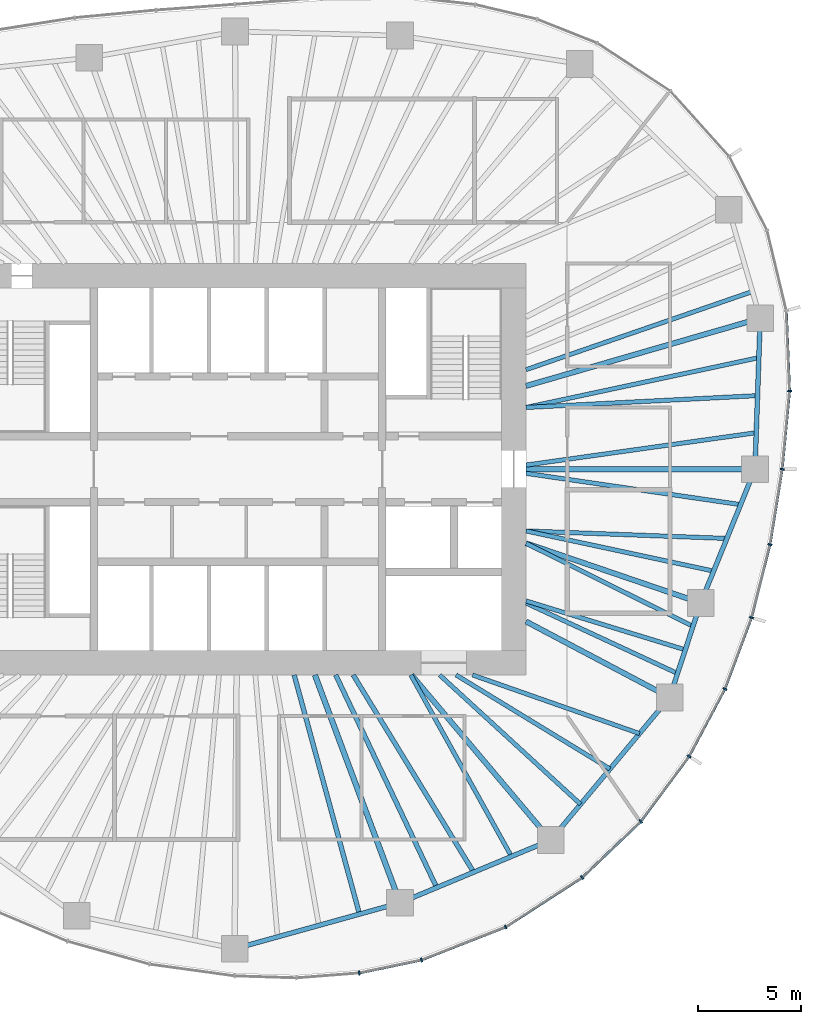
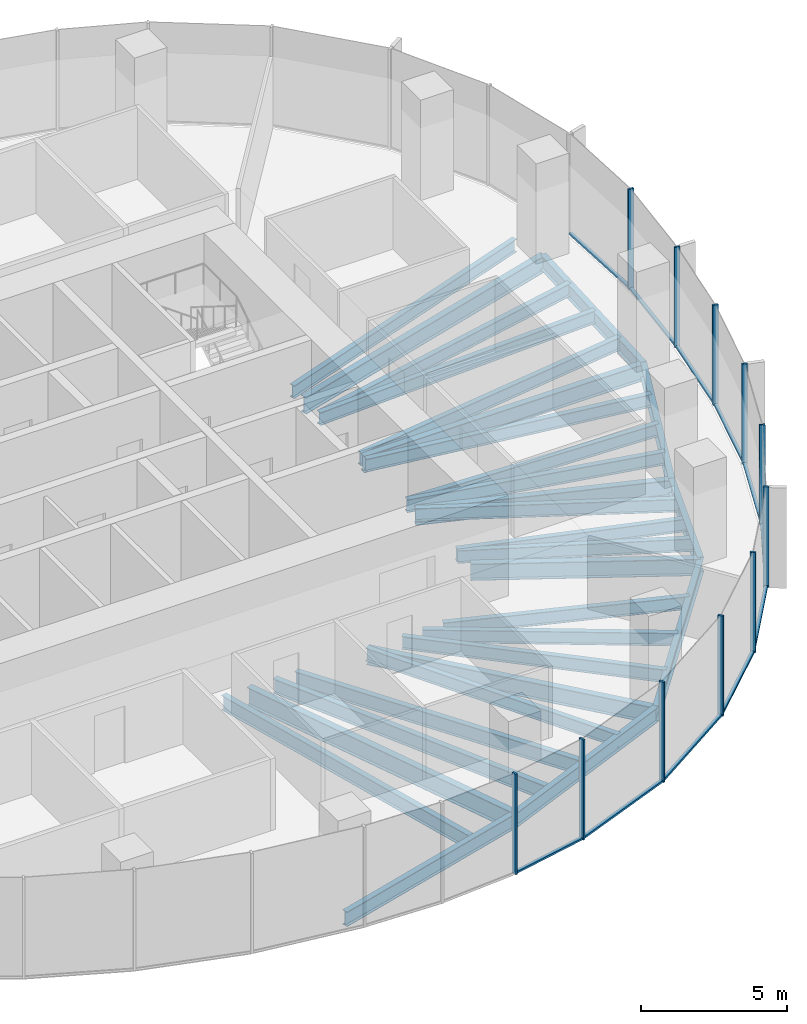
# One storey, part 4 of 12: 29 beams, 22 members, 6 elements without a shape of their own.
"""IFC4 building model written with IfcOpenShell, lengths in metres."""

from ifc_helpers import new_model, si_unit, direction, frame, origin, origin_2d, place, context, subcontext, project, spatial, rectangle, i_section, extrude, material, material_profile, profile_set, type_object, element, aggregate, save


model = new_model("IFC4")

# Units and contexts
model_context = context("Model", 3, precision=1e-05, world=origin(), true_north=direction((0.0, 1.0)))
body_context = subcontext(model_context, "Body", "Model", "MODEL_VIEW")
ifc_project = project(units=[si_unit("LENGTHUNIT", "METRE"), si_unit("AREAUNIT", "SQUARE_METRE"), si_unit("VOLUMEUNIT", "CUBIC_METRE"), si_unit("PLANEANGLEUNIT", "RADIAN"), si_unit("MASSUNIT", "GRAM", prefix="KILO")], contexts=[model_context])

# Site, building, storey
site_placement = place(None, origin())
site = spatial("IfcSite", under=ifc_project, at=site_placement, CompositionType="ELEMENT")
building_placement = place(site_placement, origin())
building = spatial("IfcBuilding", under=site, at=building_placement, Name="Ghaith Harvest Tower", CompositionType="ELEMENT")
storey_placement = place(building_placement, frame((0.0, 0.0, 199.0)))
storey = spatial("IfcBuildingStorey", under=building, at=storey_placement, Name="L43", CompositionType="ELEMENT", Elevation=199.0)

# Curtain wall, members
ifc_material_1 = material(Name="Black anodised aluminium and fritted glass", Category="aluminium")
curtain_wall_type = type_object("IfcCurtainWallType", Name="CW-H CURTAIN WALL", PredefinedType="NOTDEFINED", material=ifc_material_1)
curtain_wall_1_placement = place(storey_placement, origin())
curtain_wall_1 = element("IfcCurtainWall", 1, at=curtain_wall_1_placement, inside=storey, type_object=curtain_wall_type, Name="Curtain wall CW-H bay 01 L43", PredefinedType="NOTDEFINED")
ifc_material_2 = material(Name="Aluminium, black anodised", Category="aluminium")
ifc_material_profile_1 = material_profile(ifc_material_2, rectangle(XDim=0.080078125, YDim=0.199951171875, at=origin_2d()), Name="CW-H MULLION 80x200")
ifc_profile_set_1 = profile_set([ifc_material_profile_1], Name="Aluminium, black anodised")
member_type_1 = type_object("IfcMemberType", Name="CW-H MULLION 80x200", PredefinedType="MULLION", material=ifc_profile_set_1)
member_1_placement = place(storey_placement, frame((26.445068359375, 0.0, 0.0), z_axis=(0.0, 0.0, 1.0), x_axis=(0.126567624553, 0.991957981174, 0.0)))
member_1 = element("IfcMember", 2, at=member_1_placement, type_object=member_type_1, Name="CW-H mullion 1 bay 01 L43", PredefinedType="MULLION", context=body_context, shape_type="SweptSolid", body=[
    extrude(rectangle(XDim=0.080078125, YDim=0.199951171875, at=origin_2d()), origin(), (0.0, 0.0, 1.0), 4.199951171875),
])
member_2_placement = place(storey_placement, frame((26.804443359375, 3.7958984375, 0.0), z_axis=(0.0, 0.0, 1.0), x_axis=(0.026142797814, 0.999658218654, 0.0)))
member_2 = element("IfcMember", 3, at=member_2_placement, type_object=member_type_1, Name="CW-H mullion 2 bay 01 L43", PredefinedType="MULLION", context=body_context, shape_type="SweptSolid", body=[
    extrude(rectangle(XDim=0.080078125, YDim=0.199951171875, at=origin_2d()), origin(), (0.0, 0.0, 1.0), 4.199951171875),
])

# Curtain wall, member
curtain_wall_2_placement = place(storey_placement, origin())
curtain_wall_2 = element("IfcCurtainWall", 4, at=curtain_wall_2_placement, inside=storey, type_object=curtain_wall_type, Name="Curtain wall CW-H bay 16 L43", PredefinedType="NOTDEFINED")
member_3_placement = place(storey_placement, frame((5.893310546875, -24.48291015625, 0.0), z_axis=(0.0, 0.0, 1.0), x_axis=(0.989849191496, 0.142121701704, 0.0)))
member_3 = element("IfcMember", 5, at=member_3_placement, type_object=member_type_1, Name="CW-H mullion 3 bay 16 L43", PredefinedType="MULLION", context=body_context, shape_type="SweptSolid", body=[
    extrude(rectangle(XDim=0.080078125, YDim=0.199951171875, at=origin_2d()), origin(), (0.0, 0.0, 1.0), 4.199951171875),
])

# Curtain wall, members
curtain_wall_3_placement = place(storey_placement, origin())
curtain_wall_3 = element("IfcCurtainWall", 6, at=curtain_wall_3_placement, inside=storey, type_object=curtain_wall_type, Name="Curtain wall CW-H bay 17 L43", PredefinedType="NOTDEFINED")
member_4_placement = place(storey_placement, frame((8.916015625, -23.85009765625, 0.0), z_axis=(0.0, 0.0, 1.0), x_axis=(0.954029934434, 0.299711334793, 0.0)))
member_4 = element("IfcMember", 7, at=member_4_placement, type_object=member_type_1, Name="CW-H mullion 1 bay 17 L43", PredefinedType="MULLION", context=body_context, shape_type="SweptSolid", body=[
    extrude(rectangle(XDim=0.080078125, YDim=0.199951171875, at=origin_2d()), origin(), (0.0, 0.0, 1.0), 4.199951171875),
])
member_5_placement = place(storey_placement, frame((13.010009765625, -22.2470703125, 0.0), z_axis=(0.0, 0.0, 1.0), x_axis=(0.889568363425, 0.456802065225, 0.0)))
member_5 = element("IfcMember", 8, at=member_5_placement, type_object=member_type_1, Name="CW-H mullion 2 bay 17 L43", PredefinedType="MULLION", context=body_context, shape_type="SweptSolid", body=[
    extrude(rectangle(XDim=0.080078125, YDim=0.199951171875, at=origin_2d()), origin(), (0.0, 0.0, 1.0), 4.199951171875),
])

curtain_wall_4_placement = place(storey_placement, origin())
curtain_wall_4 = element("IfcCurtainWall", 9, at=curtain_wall_4_placement, inside=storey, type_object=curtain_wall_type, Name="Curtain wall CW-H bay 18 L43", PredefinedType="NOTDEFINED")
member_6_placement = place(storey_placement, frame((16.72900390625, -19.838134765625, 0.0), z_axis=(0.0, 0.0, 1.0), x_axis=(0.78784554071, 0.615872879727, 0.0)))
member_6 = element("IfcMember", 10, at=member_6_placement, type_object=member_type_1, Name="CW-H mullion 1 bay 18 L43", PredefinedType="MULLION", context=body_context, shape_type="SweptSolid", body=[
    extrude(rectangle(XDim=0.080078125, YDim=0.199951171875, at=origin_2d()), origin(), (0.0, 0.0, 1.0), 4.199951171875),
])
member_7_placement = place(storey_placement, frame((19.57421875, -17.11572265625, 0.0), z_axis=(0.0, 0.0, 1.0), x_axis=(0.661614965695, 0.749843741835, 0.0)))
member_7 = element("IfcMember", 11, at=member_7_placement, type_object=member_type_1, Name="CW-H mullion 2 bay 18 L43", PredefinedType="MULLION", context=body_context, shape_type="SweptSolid", body=[
    extrude(rectangle(XDim=0.080078125, YDim=0.199951171875, at=origin_2d()), origin(), (0.0, 0.0, 1.0), 4.199951171875),
])

curtain_wall_5_placement = place(storey_placement, origin())
curtain_wall_5 = element("IfcCurtainWall", 12, at=curtain_wall_5_placement, inside=storey, type_object=curtain_wall_type, Name="Curtain wall CW-H bay 19 L43", PredefinedType="NOTDEFINED")
member_8_placement = place(storey_placement, frame((21.922607421875, -13.951904296875, 0.0), z_axis=(0.0, 0.0, 1.0), x_axis=(0.535827198032, 0.844327669717, 0.0)))
member_8 = element("IfcMember", 13, at=member_8_placement, type_object=member_type_1, Name="CW-H mullion 1 bay 19 L43", PredefinedType="MULLION", context=body_context, shape_type="SweptSolid", body=[
    extrude(rectangle(XDim=0.080078125, YDim=0.199951171875, at=origin_2d()), origin(), (0.0, 0.0, 1.0), 4.199951171875),
])
member_9_placement = place(storey_placement, frame((23.658203125, -10.680419921875, 0.0), z_axis=(0.0, 0.0, 1.0), x_axis=(0.410429862351, 0.911892169114, 0.0)))
member_9 = element("IfcMember", 14, at=member_9_placement, type_object=member_type_1, Name="CW-H mullion 2 bay 19 L43", PredefinedType="MULLION", context=body_context, shape_type="SweptSolid", body=[
    extrude(rectangle(XDim=0.080078125, YDim=0.199951171875, at=origin_2d()), origin(), (0.0, 0.0, 1.0), 4.199951171875),
])

curtain_wall_6_placement = place(storey_placement, origin())
curtain_wall_6 = element("IfcCurtainWall", 15, at=curtain_wall_6_placement, inside=storey, type_object=curtain_wall_type, Name="Curtain wall CW-H bay 20 L43", PredefinedType="NOTDEFINED")
member_10_placement = place(storey_placement, frame((24.955810546875, -7.212890625, 0.0), z_axis=(0.0, 0.0, 1.0), x_axis=(0.298441625478, 0.954427889462, 0.0)))
member_10 = element("IfcMember", 16, at=member_10_placement, type_object=member_type_1, Name="CW-H mullion 1 bay 20 L43", PredefinedType="MULLION", context=body_context, shape_type="SweptSolid", body=[
    extrude(rectangle(XDim=0.080078125, YDim=0.199951171875, at=origin_2d()), origin(), (0.0, 0.0, 1.0), 4.199951171875),
])
member_11_placement = place(storey_placement, frame((25.85302734375, -3.6611328125, 0.0), z_axis=(0.0, 0.0, 1.0), x_axis=(0.202192370647, 0.979345825157, 0.0)))
member_11 = element("IfcMember", 17, at=member_11_placement, type_object=member_type_1, Name="CW-H mullion 2 bay 20 L43", PredefinedType="MULLION", context=body_context, shape_type="SweptSolid", body=[
    extrude(rectangle(XDim=0.080078125, YDim=0.199951171875, at=origin_2d()), origin(), (0.0, 0.0, 1.0), 4.199951171875),
])

# Member
ifc_material_3 = material(Name="Aluminium, black anodised", Category="aluminium")
ifc_material_profile_2 = material_profile(ifc_material_3, rectangle(XDim=0.1298828125, YDim=0.080078125, at=origin_2d()), Name="CW-H TRANSOM 130x80")
ifc_profile_set_2 = profile_set([ifc_material_profile_2], Name="Aluminium, black anodised")
member_type_2 = type_object("IfcMemberType", Name="CW-H TRANSOM 130x80", PredefinedType="USERDEFINED", material=ifc_profile_set_2)
member_12_placement = place(storey_placement, frame((26.44873046875, 0.039794921875, 0.0400390625), z_axis=(0.094309089207, 0.995542965267, 0.0), x_axis=(-0.995542965267, 0.094309089207, 0.0)))
member_12 = element("IfcMember", 18, at=member_12_placement, type_object=member_type_2, Name="CW-H transom 1 bay 01 L43", ObjectType="TRANSOM", PredefinedType="USERDEFINED", context=body_context, shape_type="SweptSolid", body=[
    extrude(rectangle(XDim=0.1298828125, YDim=0.080078125, at=origin_2d()), origin(), (0.0, 0.0, 1.0), 3.73291015625),
])

member_13_placement = place(storey_placement, frame((26.802978515625, 3.8359375, 0.0400390625), z_axis=(-0.040492641284, 0.999179836667, 0.0), x_axis=(-0.999179836667, -0.040492641284, 0.0)))
member_13 = element("IfcMember", 19, at=member_13_placement, type_object=member_type_2, Name="CW-H transom 2 bay 01 L43", ObjectType="TRANSOM", PredefinedType="USERDEFINED", context=body_context, shape_type="SweptSolid", body=[
    extrude(rectangle(XDim=0.1298828125, YDim=0.080078125, at=origin_2d()), origin(), (0.0, 0.0, 1.0), 3.82861328125),
])

aggregate(curtain_wall_1, [member_1, member_12, member_2, member_13])

member_14_placement = place(storey_placement, frame((5.932373046875, -24.474609375, 0.0400390625), z_axis=(0.978797058213, 0.204832416461, 0.0), x_axis=(-0.204832416461, 0.978797058213, 0.0)))
member_14 = element("IfcMember", 20, at=member_14_placement, type_object=member_type_2, Name="CW-H transom 3 bay 16 L43", ObjectType="TRANSOM", PredefinedType="USERDEFINED", context=body_context, shape_type="SweptSolid", body=[
    extrude(rectangle(XDim=0.1298828125, YDim=0.080078125, at=origin_2d()), origin(), (0.0, 0.0, 1.0), 3.00830078125),
])

aggregate(curtain_wall_2, [member_3, member_14])

member_15_placement = place(storey_placement, frame((8.953369140625, -23.835693359375, 0.0400390625), z_axis=(0.931147615871, 0.364642451529, 0.0), x_axis=(-0.364642451529, 0.931147615871, 0.0)))
member_15 = element("IfcMember", 21, at=member_15_placement, type_object=member_type_2, Name="CW-H transom 1 bay 17 L43", ObjectType="TRANSOM", PredefinedType="USERDEFINED", context=body_context, shape_type="SweptSolid", body=[
    extrude(rectangle(XDim=0.1298828125, YDim=0.080078125, at=origin_2d()), origin(), (0.0, 0.0, 1.0), 4.31640625),
])

member_16_placement = place(storey_placement, frame((13.04345703125, -22.225341796875, 0.0400390625), z_axis=(0.839306610985, 0.543658360331, 0.0), x_axis=(-0.543658360331, 0.839306610985, 0.0)))
member_16 = element("IfcMember", 22, at=member_16_placement, type_object=member_type_2, Name="CW-H transom 2 bay 17 L43", ObjectType="TRANSOM", PredefinedType="USERDEFINED", context=body_context, shape_type="SweptSolid", body=[
    extrude(rectangle(XDim=0.1298828125, YDim=0.080078125, at=origin_2d()), origin(), (0.0, 0.0, 1.0), 4.35107421875),
])

aggregate(curtain_wall_3, [member_4, member_15, member_5, member_16])

member_17_placement = place(storey_placement, frame((16.7578125, -19.810546875, 0.0400390625), z_axis=(0.722533278657, 0.691336141998, 0.0), x_axis=(-0.691336141998, 0.722533278657, 0.0)))
member_17 = element("IfcMember", 23, at=member_17_placement, type_object=member_type_2, Name="CW-H transom 1 bay 18 L43", ObjectType="TRANSOM", PredefinedType="USERDEFINED", context=body_context, shape_type="SweptSolid", body=[
    extrude(rectangle(XDim=0.1298828125, YDim=0.080078125, at=origin_2d()), origin(), (0.0, 0.0, 1.0), 3.858154296875),
])

member_18_placement = place(storey_placement, frame((19.59814453125, -17.083740234375, 0.0400390625), z_axis=(0.595995597074, 0.802987701194, 0.0), x_axis=(-0.802987701194, 0.595995597074, 0.0)))
member_18 = element("IfcMember", 24, at=member_18_placement, type_object=member_type_2, Name="CW-H transom 2 bay 18 L43", ObjectType="TRANSOM", PredefinedType="USERDEFINED", context=body_context, shape_type="SweptSolid", body=[
    extrude(rectangle(XDim=0.1298828125, YDim=0.080078125, at=origin_2d()), origin(), (0.0, 0.0, 1.0), 3.8603515625),
])

aggregate(curtain_wall_4, [member_6, member_17, member_7, member_18])

member_19_placement = place(storey_placement, frame((21.94140625, -13.91650390625, 0.0400390625), z_axis=(0.468646057757, 0.883386026915, 0.0), x_axis=(-0.883386026915, 0.468646057757, 0.0)))
member_19 = element("IfcMember", 25, at=member_19_placement, type_object=member_type_2, Name="CW-H transom 1 bay 19 L43", ObjectType="TRANSOM", PredefinedType="USERDEFINED", context=body_context, shape_type="SweptSolid", body=[
    extrude(rectangle(XDim=0.1298828125, YDim=0.080078125, at=origin_2d()), origin(), (0.0, 0.0, 1.0), 3.623291015625),
])

member_20_placement = place(storey_placement, frame((23.672119140625, -10.64306640625, 0.0400390625), z_axis=(0.350510368091, 0.936558851253, 0.0), x_axis=(-0.936558851253, 0.350510368091, 0.0)))
member_20 = element("IfcMember", 26, at=member_20_placement, type_object=member_type_2, Name="CW-H transom 2 bay 19 L43", ObjectType="TRANSOM", PredefinedType="USERDEFINED", context=body_context, shape_type="SweptSolid", body=[
    extrude(rectangle(XDim=0.1298828125, YDim=0.080078125, at=origin_2d()), origin(), (0.0, 0.0, 1.0), 3.62255859375),
])

aggregate(curtain_wall_5, [member_8, member_19, member_9, member_20])

member_21_placement = place(storey_placement, frame((24.965576171875, -7.174072265625, 0.0400390625), z_axis=(0.244939588347, 0.969538342749, 0.0), x_axis=(-0.969538342749, 0.244939588347, 0.0)))
member_21 = element("IfcMember", 27, at=member_21_placement, type_object=member_type_2, Name="CW-H transom 1 bay 20 L43", ObjectType="TRANSOM", PredefinedType="USERDEFINED", context=body_context, shape_type="SweptSolid", body=[
    extrude(rectangle(XDim=0.1298828125, YDim=0.080078125, at=origin_2d()), origin(), (0.0, 0.0, 1.0), 3.583251953125),
])

member_22_placement = place(storey_placement, frame((25.859375, -3.62158203125, 0.0400390625), z_axis=(0.159661845696, 0.987171765717, 0.0), x_axis=(-0.987171765717, 0.159661845696, 0.0)))
member_22 = element("IfcMember", 28, at=member_22_placement, type_object=member_type_2, Name="CW-H transom 2 bay 20 L43", ObjectType="TRANSOM", PredefinedType="USERDEFINED", context=body_context, shape_type="SweptSolid", body=[
    extrude(rectangle(XDim=0.1298828125, YDim=0.080078125, at=origin_2d()), origin(), (0.0, 0.0, 1.0), 3.628662109375),
])

aggregate(curtain_wall_6, [member_10, member_21, member_11, member_22])

# Beams
ifc_material_4 = material(Name="Steel ASTM A992 Grade 50", Category="steel")
ifc_material_profile_3 = material_profile(ifc_material_4, i_section(OverallWidth=0.22900390625, OverallDepth=0.612060546875, WebThickness=0.011962890625, FlangeThickness=0.01953125, at=origin_2d()), Name="W610X125")
ifc_profile_set_3 = profile_set([ifc_material_profile_3], Name="Steel ASTM A992 Grade 50")
beam_type_1 = type_object("IfcBeamType", Name="E610-125 W610X125", PredefinedType="SPANDREL", material=ifc_profile_set_3)
beam_1_placement = place(storey_placement, frame((25.125, 0.0, -0.47607421875), z_axis=(0.03446227584, 0.999405999354, 0.0), x_axis=(-0.999405999354, 0.03446227584, 0.0)))
element("IfcBeam", 29, at=beam_1_placement, inside=storey, type_object=beam_type_1, Name="Edge beam E01 L43", PredefinedType="SPANDREL", context=body_context, shape_type="SweptSolid", body=[
    extrude(i_section(OverallWidth=0.22900390625, OverallDepth=0.612060546875, WebThickness=0.011962890625, FlangeThickness=0.01953125, at=origin_2d()), origin(), (0.0, 0.0, 1.0), 7.33935546875),
])
beam_2_placement = place(storey_placement, frame((-0.158935546875, -23.304931640625, -0.47607421875), z_axis=(0.963504070594, 0.267693679323, 0.0), x_axis=(-0.267693679323, 0.963504070594, 0.0)))
element("IfcBeam", 30, at=beam_2_placement, inside=storey, type_object=beam_type_1, Name="Edge beam E16 L43", PredefinedType="SPANDREL", context=body_context, shape_type="SweptSolid", body=[
    extrude(i_section(OverallWidth=0.22900390625, OverallDepth=0.612060546875, WebThickness=0.011962890625, FlangeThickness=0.01953125, at=origin_2d()), origin(), (0.0, 0.0, 1.0), 8.34130859375),
])
beam_3_placement = place(storey_placement, frame((7.8779296875, -21.072021484375, -0.47607421875), z_axis=(0.923119729219, 0.384512633766, 0.0), x_axis=(-0.384512633766, 0.923119729219, 0.0)))
element("IfcBeam", 31, at=beam_3_placement, inside=storey, type_object=beam_type_1, Name="Edge beam E17 L43", PredefinedType="SPANDREL", context=body_context, shape_type="SweptSolid", body=[
    extrude(i_section(OverallWidth=0.22900390625, OverallDepth=0.612060546875, WebThickness=0.011962890625, FlangeThickness=0.01953125, at=origin_2d()), origin(), (0.0, 0.0, 1.0), 7.9296875),
])
beam_4_placement = place(storey_placement, frame((15.197998046875, -18.02294921875, -0.47607421875), z_axis=(0.640173759088, 0.76823014662, 0.0), x_axis=(-0.76823014662, 0.640173759088, 0.0)))
element("IfcBeam", 32, at=beam_4_placement, inside=storey, type_object=beam_type_1, Name="Edge beam E18 L43", PredefinedType="SPANDREL", context=body_context, shape_type="SweptSolid", body=[
    extrude(i_section(OverallWidth=0.22900390625, OverallDepth=0.612060546875, WebThickness=0.011962890625, FlangeThickness=0.01953125, at=origin_2d()), origin(), (0.0, 0.0, 1.0), 9.02734375),
])
beam_5_placement = place(storey_placement, frame((20.97705078125, -11.087890625, -0.47607421875), z_axis=(0.312206727278, 0.950014189074, 0.0), x_axis=(-0.950014189074, 0.312206727278, 0.0)))
element("IfcBeam", 33, at=beam_5_placement, inside=storey, type_object=beam_type_1, Name="Edge beam E19 L43", PredefinedType="SPANDREL", context=body_context, shape_type="SweptSolid", body=[
    extrude(i_section(OverallWidth=0.22900390625, OverallDepth=0.612060546875, WebThickness=0.011962890625, FlangeThickness=0.01953125, at=origin_2d()), origin(), (0.0, 0.0, 1.0), 4.830322265625),
])
beam_6_placement = place(storey_placement, frame((22.485107421875, -6.4990234375, -0.47607421875), z_axis=(0.376335970246, 0.926483263475, 0.0), x_axis=(-0.926483263475, 0.376335970246, 0.0)))
element("IfcBeam", 34, at=beam_6_placement, inside=storey, type_object=beam_type_1, Name="Edge beam E20 L43", PredefinedType="SPANDREL", context=body_context, shape_type="SweptSolid", body=[
    extrude(i_section(OverallWidth=0.22900390625, OverallDepth=0.612060546875, WebThickness=0.011962890625, FlangeThickness=0.01953125, at=origin_2d()), origin(), (0.0, 0.0, 1.0), 7.0146484375),
])
ifc_material_5 = material(Name="Steel ASTM A992 Grade 50", Category="steel")
ifc_material_profile_4 = material_profile(ifc_material_5, i_section(OverallWidth=0.256103515625, OverallDepth=0.693115234375, WebThickness=0.014404296875, FlangeThickness=0.023681640625, at=origin_2d()), Name="W690X170")
ifc_profile_set_4 = profile_set([ifc_material_profile_4], Name="Steel ASTM A992 Grade 50")
beam_type_2 = type_object("IfcBeamType", Name="G690-170 W690X170", PredefinedType="BEAM", material=ifc_profile_set_4)
beam_7_placement = place(storey_placement, frame((14.0, 0.0, -0.5166015625), z_axis=(1.0, 0.0, 0.0), x_axis=(0.0, 1.0, 0.0)))
element("IfcBeam", 35, at=beam_7_placement, inside=storey, type_object=beam_type_2, Name="Radial girder G01 L43", PredefinedType="BEAM", context=body_context, shape_type="SweptSolid", body=[
    extrude(i_section(OverallWidth=0.256103515625, OverallDepth=0.693115234375, WebThickness=0.014404296875, FlangeThickness=0.023681640625, at=origin_2d()), origin(), (0.0, 0.0, 1.0), 11.125),
])
beam_8_placement = place(storey_placement, frame((14.0, 4.04638671875, -0.5166015625), z_axis=(0.960677776578, 0.277665643518, 0.0), x_axis=(-0.277665643518, 0.960677776578, 0.0)))
element("IfcBeam", 36, at=beam_8_placement, inside=storey, type_object=beam_type_2, Name="Radial girder G02 L43", PredefinedType="BEAM", context=body_context, shape_type="SweptSolid", body=[
    extrude(i_section(OverallWidth=0.256103515625, OverallDepth=0.693115234375, WebThickness=0.014404296875, FlangeThickness=0.023681640625, at=origin_2d()), origin(), (0.0, 0.0, 1.0), 11.84375),
])
beam_9_placement = place(storey_placement, frame((8.4326171875, -10.0, -0.5166015625), z_axis=(0.644649240595, -0.764478486682, 0.0), x_axis=(0.764478486682, 0.644649240595, 0.0)))
element("IfcBeam", 37, at=beam_9_placement, inside=storey, type_object=beam_type_2, Name="Radial girder G18 L43", PredefinedType="BEAM", context=body_context, shape_type="SweptSolid", body=[
    extrude(i_section(OverallWidth=0.256103515625, OverallDepth=0.693115234375, WebThickness=0.014404296875, FlangeThickness=0.023681640625, at=origin_2d()), origin(), (0.0, 0.0, 1.0), 10.49462890625),
])
beam_10_placement = place(storey_placement, frame((14.0, -7.39990234375, -0.5166015625), z_axis=(0.884088732293, -0.467319070264, 0.0), x_axis=(0.467319070264, 0.884088732293, 0.0)))
element("IfcBeam", 38, at=beam_10_placement, inside=storey, type_object=beam_type_2, Name="Radial girder G19 L43", PredefinedType="BEAM", context=body_context, shape_type="SweptSolid", body=[
    extrude(i_section(OverallWidth=0.256103515625, OverallDepth=0.693115234375, WebThickness=0.014404296875, FlangeThickness=0.023681640625, at=origin_2d()), origin(), (0.0, 0.0, 1.0), 7.891845703125),
])
beam_11_placement = place(storey_placement, frame((14.0, -3.60009765625, -0.5166015625), z_axis=(0.94629622913, -0.323300861018, 0.0), x_axis=(0.323300861018, 0.94629622913, 0.0)))
element("IfcBeam", 39, at=beam_11_placement, inside=storey, type_object=beam_type_2, Name="Radial girder G20 L43", PredefinedType="BEAM", context=body_context, shape_type="SweptSolid", body=[
    extrude(i_section(OverallWidth=0.256103515625, OverallDepth=0.693115234375, WebThickness=0.014404296875, FlangeThickness=0.023681640625, at=origin_2d()), origin(), (0.0, 0.0, 1.0), 8.966552734375),
])
ifc_material_6 = material(Name="Steel ASTM A992 Grade 50", Category="steel")
ifc_material_profile_5 = material_profile(ifc_material_6, i_section(OverallWidth=0.26806640625, OverallDepth=0.77001953125, WebThickness=0.015625, FlangeThickness=0.025390625, at=origin_2d()), Name="W760X196")
ifc_profile_set_5 = profile_set([ifc_material_profile_5], Name="Steel ASTM A992 Grade 50")
beam_type_3 = type_object("IfcBeamType", Name="G760-196 W760X196", PredefinedType="BEAM", material=ifc_profile_set_5)
beam_12_placement = place(storey_placement, frame((3.73828125, -10.0, -0.554931640625), z_axis=(0.350206582147, -0.936672488024, 0.0), x_axis=(0.936672488024, 0.350206582147, 0.0)))
element("IfcBeam", 40, at=beam_12_placement, inside=storey, type_object=beam_type_3, Name="Radial girder G17 L43", PredefinedType="BEAM", context=body_context, shape_type="SweptSolid", body=[
    extrude(i_section(OverallWidth=0.26806640625, OverallDepth=0.77001953125, WebThickness=0.015625, FlangeThickness=0.025390625, at=origin_2d()), origin(), (0.0, 0.0, 1.0), 11.820556640625),
])
ifc_material_7 = material(Name="Steel ASTM A992 Grade 50", Category="steel")
ifc_material_profile_6 = material_profile(ifc_material_7, i_section(OverallWidth=0.2109375, OverallDepth=0.5390625, WebThickness=0.01171875, FlangeThickness=0.018798828125, at=origin_2d()), Name="W530X109")
ifc_profile_set_6 = profile_set([ifc_material_profile_6], Name="Steel ASTM A992 Grade 50")
beam_type_4 = type_object("IfcBeamType", Name="J530-109 W530X109", PredefinedType="JOIST", material=ifc_profile_set_6)
beam_13_placement = place(storey_placement, frame((14.0, 0.199951171875, -0.439453125), z_axis=(0.990239574724, 0.139375696052, 0.0), x_axis=(-0.139375696052, 0.990239574724, 0.0)))
element("IfcBeam", 41, at=beam_13_placement, inside=storey, type_object=beam_type_4, Name="Joist J01.1 L43", PredefinedType="JOIST", context=body_context, shape_type="SweptSolid", body=[
    extrude(i_section(OverallWidth=0.2109375, OverallDepth=0.5390625, WebThickness=0.01171875, FlangeThickness=0.018798828125, at=origin_2d()), origin(), (0.0, 0.0, 1.0), 11.296630859375),
])
beam_14_placement = place(storey_placement, frame((14.0, 3.0, -0.439453125), z_axis=(0.998693995267, 0.051091132482, 0.0), x_axis=(-0.051091132482, 0.998693995267, 0.0)))
element("IfcBeam", 42, at=beam_14_placement, inside=storey, type_object=beam_type_4, Name="Joist J01.2 L43", PredefinedType="JOIST", context=body_context, shape_type="SweptSolid", body=[
    extrude(i_section(OverallWidth=0.2109375, OverallDepth=0.5390625, WebThickness=0.01171875, FlangeThickness=0.018798828125, at=origin_2d()), origin(), (0.0, 0.0, 1.0), 11.262939453125),
])
beam_15_placement = place(storey_placement, frame((14.0, 3.0, -0.439453125), z_axis=(0.977840076912, 0.209353251672, 0.0), x_axis=(-0.209353251672, 0.977840076912, 0.0)))
element("IfcBeam", 43, at=beam_15_placement, inside=storey, type_object=beam_type_4, Name="Joist J01.3 L43", PredefinedType="JOIST", context=body_context, shape_type="SweptSolid", body=[
    extrude(i_section(OverallWidth=0.2109375, OverallDepth=0.5390625, WebThickness=0.01171875, FlangeThickness=0.018798828125, at=origin_2d()), origin(), (0.0, 0.0, 1.0), 11.568359375),
])
beam_16_placement = place(storey_placement, frame((14.0, 4.835693359375, -0.439453125), z_axis=(0.945202328042, 0.326485159025, 0.0), x_axis=(-0.326485159025, 0.945202328042, 0.0)))
element("IfcBeam", 44, at=beam_16_placement, inside=storey, type_object=beam_type_4, Name="Joist J02.1 L43", PredefinedType="JOIST", context=body_context, shape_type="SweptSolid", body=[
    extrude(i_section(OverallWidth=0.2109375, OverallDepth=0.5390625, WebThickness=0.01171875, FlangeThickness=0.018798828125, at=origin_2d()), origin(), (0.0, 0.0, 1.0), 11.63916015625),
])
beam_17_placement = place(storey_placement, frame((8.39990234375, -10.0, -0.439453125), z_axis=(0.484919107871, -0.874559008199, 0.0), x_axis=(0.874559008199, 0.484919107871, 0.0)))
element("IfcBeam", 45, at=beam_17_placement, inside=storey, type_object=beam_type_4, Name="Joist J17.3 L43", PredefinedType="JOIST", context=body_context, shape_type="SweptSolid", body=[
    extrude(i_section(OverallWidth=0.2109375, OverallDepth=0.5390625, WebThickness=0.01171875, FlangeThickness=0.018798828125, at=origin_2d()), origin(), (0.0, 0.0, 1.0), 10.0830078125),
])
beam_18_placement = place(storey_placement, frame((9.800048828125, -10.0, -0.439453125), z_axis=(0.736998187228, -0.675894719629, 0.0), x_axis=(0.675894719629, 0.736998187228, 0.0)))
element("IfcBeam", 46, at=beam_18_placement, inside=storey, type_object=beam_type_4, Name="Joist J18.1 L43", PredefinedType="JOIST", context=body_context, shape_type="SweptSolid", body=[
    extrude(i_section(OverallWidth=0.2109375, OverallDepth=0.5390625, WebThickness=0.01171875, FlangeThickness=0.018798828125, at=origin_2d()), origin(), (0.0, 0.0, 1.0), 9.293701171875),
])
beam_19_placement = place(storey_placement, frame((14.0, -3.0, -0.439453125), z_axis=(0.977841497168, -0.209346617877, 0.0), x_axis=(0.209346617877, 0.977841497168, 0.0)))
element("IfcBeam", 47, at=beam_19_placement, inside=storey, type_object=beam_type_4, Name="Joist J20.1 L43", PredefinedType="JOIST", context=body_context, shape_type="SweptSolid", body=[
    extrude(i_section(OverallWidth=0.2109375, OverallDepth=0.5390625, WebThickness=0.01171875, FlangeThickness=0.018798828125, at=origin_2d()), origin(), (0.0, 0.0, 1.0), 9.3203125),
])
beam_20_placement = place(storey_placement, frame((14.0, -3.0, -0.439453125), z_axis=(0.999303105315, -0.037326983644, 0.0), x_axis=(0.037326983644, 0.999303105315, 0.0)))
element("IfcBeam", 48, at=beam_20_placement, inside=storey, type_object=beam_type_4, Name="Joist J20.2 L43", PredefinedType="JOIST", context=body_context, shape_type="SweptSolid", body=[
    extrude(i_section(OverallWidth=0.2109375, OverallDepth=0.5390625, WebThickness=0.01171875, FlangeThickness=0.018798828125, at=origin_2d()), origin(), (0.0, 0.0, 1.0), 9.76513671875),
])
beam_21_placement = place(storey_placement, frame((14.0, -0.199951171875, -0.439453125), z_axis=(0.989525259022, -0.144359834294, 0.0), x_axis=(0.144359834294, 0.989525259022, 0.0)))
element("IfcBeam", 49, at=beam_21_placement, inside=storey, type_object=beam_type_4, Name="Joist J20.3 L43", PredefinedType="JOIST", context=body_context, shape_type="SweptSolid", body=[
    extrude(i_section(OverallWidth=0.2109375, OverallDepth=0.5390625, WebThickness=0.01171875, FlangeThickness=0.018798828125, at=origin_2d()), origin(), (0.0, 0.0, 1.0), 10.5361328125),
])
ifc_material_8 = material(Name="Steel ASTM A992 Grade 50", Category="steel")
ifc_material_profile_7 = material_profile(ifc_material_8, i_section(OverallWidth=0.208984375, OverallDepth=0.532958984375, WebThickness=0.01025390625, FlangeThickness=0.015625, at=origin_2d()), Name="W530X92")
ifc_profile_set_7 = profile_set([ifc_material_profile_7], Name="Steel ASTM A992 Grade 50")
beam_type_5 = type_object("IfcBeamType", Name="J530-92 W530X92", PredefinedType="JOIST", material=ifc_profile_set_7)
beam_22_placement = place(storey_placement, frame((10.60009765625, -10.0, -0.4365234375), z_axis=(0.853467052113, -0.521146803654, 0.0), x_axis=(0.521146803654, 0.853467052113, 0.0)))
element("IfcBeam", 50, at=beam_22_placement, inside=storey, type_object=beam_type_5, Name="Joist J18.2 L43", PredefinedType="JOIST", context=body_context, shape_type="SweptSolid", body=[
    extrude(i_section(OverallWidth=0.208984375, OverallDepth=0.532958984375, WebThickness=0.01025390625, FlangeThickness=0.015625, at=origin_2d()), origin(), (0.0, 0.0, 1.0), 8.76220703125),
])
beam_23_placement = place(storey_placement, frame((11.39990234375, -10.0, -0.4365234375), z_axis=(0.943605274188, -0.331072630285, 0.0), x_axis=(0.331072630285, 0.943605274188, 0.0)))
element("IfcBeam", 51, at=beam_23_placement, inside=storey, type_object=beam_type_5, Name="Joist J18.3 L43", PredefinedType="JOIST", context=body_context, shape_type="SweptSolid", body=[
    extrude(i_section(OverallWidth=0.208984375, OverallDepth=0.532958984375, WebThickness=0.01025390625, FlangeThickness=0.015625, at=origin_2d()), origin(), (0.0, 0.0, 1.0), 8.596923828125),
])
beam_24_placement = place(storey_placement, frame((14.0, -6.506103515625, -0.4365234375), z_axis=(0.906865270415, -0.421420670251, 0.0), x_axis=(0.421420670251, 0.906865270415, 0.0)))
element("IfcBeam", 52, at=beam_24_placement, inside=storey, type_object=beam_type_5, Name="Joist J19.1 L43", PredefinedType="JOIST", context=body_context, shape_type="SweptSolid", body=[
    extrude(i_section(OverallWidth=0.208984375, OverallDepth=0.532958984375, WebThickness=0.01025390625, FlangeThickness=0.015625, at=origin_2d()), origin(), (0.0, 0.0, 1.0), 8.11474609375),
])
beam_25_placement = place(storey_placement, frame((14.0, -6.39990234375, -0.4365234375), z_axis=(0.955870927609, -0.293786946192, 0.0), x_axis=(0.293786946192, 0.955870927609, 0.0)))
element("IfcBeam", 53, at=beam_25_placement, inside=storey, type_object=beam_type_5, Name="Joist J19.2 L43", PredefinedType="JOIST", context=body_context, shape_type="SweptSolid", body=[
    extrude(i_section(OverallWidth=0.208984375, OverallDepth=0.532958984375, WebThickness=0.01025390625, FlangeThickness=0.015625, at=origin_2d()), origin(), (0.0, 0.0, 1.0), 8.09326171875),
])
beam_26_placement = place(storey_placement, frame((14.0, -3.60009765625, -0.4365234375), z_axis=(0.89523949078, -0.445585293909, 0.0), x_axis=(0.445585293909, 0.89523949078, 0.0)))
element("IfcBeam", 54, at=beam_26_placement, inside=storey, type_object=beam_type_5, Name="Joist J19.3 L43", PredefinedType="JOIST", context=body_context, shape_type="SweptSolid", body=[
    extrude(i_section(OverallWidth=0.208984375, OverallDepth=0.532958984375, WebThickness=0.01025390625, FlangeThickness=0.015625, at=origin_2d()), origin(), (0.0, 0.0, 1.0), 9.060302734375),
])
ifc_material_9 = material(Name="Steel ASTM A992 Grade 50", Category="steel")
ifc_material_profile_8 = material_profile(ifc_material_9, i_section(OverallWidth=0.22900390625, OverallDepth=0.612060546875, WebThickness=0.011962890625, FlangeThickness=0.01953125, at=origin_2d()), Name="W610X125")
ifc_profile_set_8 = profile_set([ifc_material_profile_8], Name="Steel ASTM A992 Grade 50")
beam_type_6 = type_object("IfcBeamType", Name="J610-125 W610X125", PredefinedType="JOIST", material=ifc_profile_set_8)
beam_27_placement = place(storey_placement, frame((2.73095703125, -10.0, -0.47607421875), z_axis=(0.263456947705, -0.964671154698, 0.0), x_axis=(0.964671154698, 0.263456947705, 0.0)))
element("IfcBeam", 55, at=beam_27_placement, inside=storey, type_object=beam_type_6, Name="Joist J16.3 L43", PredefinedType="JOIST", context=body_context, shape_type="SweptSolid", body=[
    extrude(i_section(OverallWidth=0.22900390625, OverallDepth=0.612060546875, WebThickness=0.011962890625, FlangeThickness=0.01953125, at=origin_2d()), origin(), (0.0, 0.0, 1.0), 12.0458984375),
])
beam_28_placement = place(storey_placement, frame((4.75, -10.0, -0.47607421875), z_axis=(0.429080762264, -0.90326612881, 0.0), x_axis=(0.90326612881, 0.429080762264, 0.0)))
element("IfcBeam", 56, at=beam_28_placement, inside=storey, type_object=beam_type_6, Name="Joist J17.1 L43", PredefinedType="JOIST", context=body_context, shape_type="SweptSolid", body=[
    extrude(i_section(OverallWidth=0.22900390625, OverallDepth=0.612060546875, WebThickness=0.011962890625, FlangeThickness=0.01953125, at=origin_2d()), origin(), (0.0, 0.0, 1.0), 11.437255859375),
])
beam_29_placement = place(storey_placement, frame((5.60009765625, -10.0, -0.47607421875), z_axis=(0.521165912119, -0.853455383746, 0.0), x_axis=(0.853455383746, 0.521165912119, 0.0)))
element("IfcBeam", 57, at=beam_29_placement, inside=storey, type_object=beam_type_6, Name="Joist J17.2 L43", PredefinedType="JOIST", context=body_context, shape_type="SweptSolid", body=[
    extrude(i_section(OverallWidth=0.22900390625, OverallDepth=0.612060546875, WebThickness=0.011962890625, FlangeThickness=0.01953125, at=origin_2d()), origin(), (0.0, 0.0, 1.0), 11.228759765625),
])

save(model, "model.ifc")
